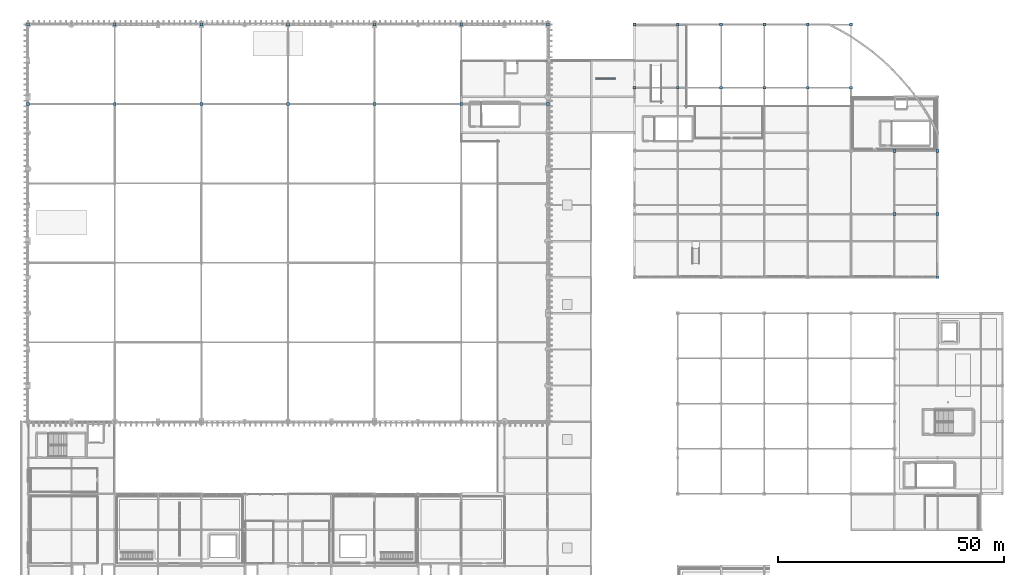
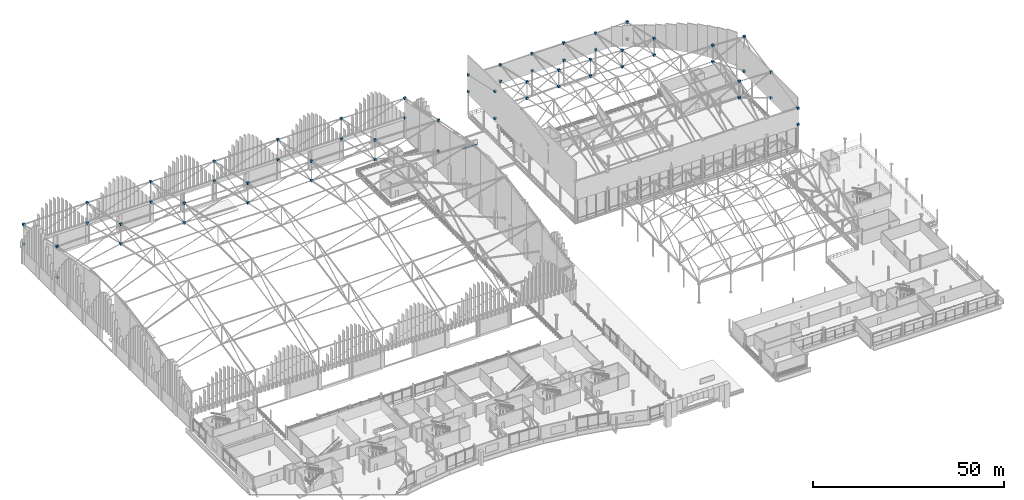
# One storey, part 163 of 193: 63 discrete accessories.
"""IFC4 building model written with IfcOpenShell, lengths in metres."""

from ifc_helpers import new_model, si_unit, direction, frame, origin, origin_2d, place, context, subcontext, project, spatial, rectangle, extrude, material, type_object, element, save


model = new_model("IFC4")

# Units and contexts
model_context = context("Model", 3, precision=1e-05, world=origin(), true_north=direction((0.0, 1.0)))
body_context = subcontext(model_context, "Body", "Model", "MODEL_VIEW")
ifc_project = project(units=[si_unit("LENGTHUNIT", "METRE"), si_unit("AREAUNIT", "SQUARE_METRE"), si_unit("VOLUMEUNIT", "CUBIC_METRE"), si_unit("PLANEANGLEUNIT", "RADIAN"), si_unit("MASSUNIT", "GRAM", prefix="KILO")], contexts=[model_context])

# Site, building, storey
site_placement = place(None, origin())
site = spatial("IfcSite", under=ifc_project, at=site_placement, CompositionType="ELEMENT")
building_placement = place(site_placement, origin())
building = spatial("IfcBuilding", under=site, at=building_placement, Name="Danafjord Basin Convention Centre", CompositionType="ELEMENT")
storey_placement = place(building_placement, frame((0.0, 0.0, 11.39990234375)))
storey = spatial("IfcBuildingStorey", under=building, at=storey_placement, Name="L02", CompositionType="ELEMENT", Elevation=11.39990234375)

# Discrete accessories
ifc_material_1 = material(Name="Stainless steel EN 1.4404", Category="steel")
discrete_accessory_type_1 = type_object("IfcDiscreteAccessoryType", Name="ACC-FIN-BRK", PredefinedType="BRACKET", material=ifc_material_1)
discrete_accessory_placement = place(storey_placement, frame((128.0, 132.0, -0.48974609375), z_axis=(0.0, 0.0, 1.0), x_axis=(1.0, 0.0, 0.0)))
element("IfcDiscreteAccessory", 1, at=discrete_accessory_placement, inside=storey, type_object=discrete_accessory_type_1, Name="Louvre base curb shoe", PredefinedType="BRACKET", context=body_context, shape_type="SweptSolid", body=[
    extrude(rectangle(XDim=4.199951171875, YDim=0.300048828125, at=origin_2d()), origin(), (0.0, 0.0, 1.0), 0.179931640625),
])
ifc_material_2 = material(Name="Steel S355", Category="steel")
discrete_accessory_type_2 = type_object("IfcDiscreteAccessoryType", Name="ACC-SF-HUB", PredefinedType="BRACKET", material=ifc_material_2)
for number, where, z_axis, x_axis, name in (
    (2, (0.0, 126.39990234375, 15.5908203125), (0.0, 0.0, 1.0), (1.0, 0.0, 0.0), "V1 space-frame upper node hub"),
    (3, (0.0, 126.39990234375, 5.72998046875), (0.0, 0.0, 1.0), (1.0, 0.0, 0.0), "V1 space-frame lower node hub"),
    (4, (0.0, 144.0, 11.93017578125), (0.0, 0.0, 1.0), (1.0, 0.0, 0.0), "V1 space-frame upper node hub"),
    (5, (0.0, 144.0, 5.72998046875), (0.0, 0.0, 1.0), (1.0, 0.0, 0.0), "V1 space-frame lower node hub"),
    (6, (19.199951171875, 126.39990234375, 15.951171875), (0.0, 0.0, 1.0), (1.0, 0.0, 0.0), "V1 space-frame upper node hub"),
    (7, (19.199951171875, 126.39990234375, 9.7509765625), (0.0, 0.0, 1.0), (1.0, 0.0, 0.0), "V1 space-frame lower node hub"),
    (8, (19.199951171875, 144.0, 12.1552734375), (0.0, 0.0, 1.0), (1.0, 0.0, 0.0), "V1 space-frame upper node hub"),
    (9, (19.199951171875, 144.0, 5.72998046875), (0.0, 0.0, 1.0), (1.0, 0.0, 0.0), "V1 space-frame lower node hub"),
    (10, (38.39990234375, 126.39990234375, 15.951171875), (0.0, 0.0, 1.0), (1.0, 0.0, 0.0), "V1 space-frame upper node hub"),
    (11, (38.39990234375, 126.39990234375, 9.7509765625), (0.0, 0.0, 1.0), (1.0, 0.0, 0.0), "V1 space-frame lower node hub"),
    (12, (38.39990234375, 144.0, 12.1552734375), (0.0, 0.0, 1.0), (1.0, 0.0, 0.0), "V1 space-frame upper node hub"),
    (13, (38.39990234375, 144.0, 5.72998046875), (0.0, 0.0, 1.0), (1.0, 0.0, 0.0), "V1 space-frame lower node hub"),
    (14, (57.60009765625, 126.39990234375, 15.5908203125), (0.0, 0.0, 1.0), (1.0, 0.0, 0.0), "V1 space-frame upper node hub"),
    (15, (57.60009765625, 126.39990234375, 9.39111328125), (0.0, 0.0, 1.0), (1.0, 0.0, 0.0), "V1 space-frame lower node hub"),
    (16, (57.60009765625, 144.0, 11.93017578125), (0.0, 0.0, 1.0), (1.0, 0.0, 0.0), "V1 space-frame upper node hub"),
    (17, (57.60009765625, 144.0, 5.72998046875), (0.0, 0.0, 1.0), (1.0, 0.0, 0.0), "V1 space-frame lower node hub"),
    (18, (76.800048828125, 126.39990234375, 15.951171875), (0.0, 0.0, 1.0), (1.0, 0.0, 0.0), "V1 space-frame upper node hub"),
    (19, (76.800048828125, 126.39990234375, 9.7509765625), (0.0, 0.0, 1.0), (1.0, 0.0, 0.0), "V1 space-frame lower node hub"),
    (20, (76.800048828125, 144.0, 12.1552734375), (0.0, 0.0, 1.0), (1.0, 0.0, 0.0), "V1 space-frame upper node hub"),
    (21, (76.800048828125, 144.0, 5.72998046875), (0.0, 0.0, 1.0), (1.0, 0.0, 0.0), "V1 space-frame lower node hub"),
    (22, (96.0, 126.39990234375, 15.951171875), (0.0, 0.0, 1.0), (1.0, 0.0, 0.0), "V1 space-frame upper node hub"),
    (23, (96.0, 126.39990234375, 9.7509765625), (0.0, 0.0, 1.0), (1.0, 0.0, 0.0), "V1 space-frame lower node hub"),
    (24, (96.0, 144.0, 12.1552734375), (0.0, 0.0, 1.0), (1.0, 0.0, 0.0), "V1 space-frame upper node hub"),
    (25, (96.0, 144.0, 5.72998046875), (0.0, 0.0, 1.0), (1.0, 0.0, 0.0), "V1 space-frame lower node hub"),
    (26, (115.199951171875, 126.39990234375, 15.5908203125), (0.0, 0.0, 1.0), (1.0, 0.0, 0.0), "V1 space-frame upper node hub"),
    (27, (115.199951171875, 126.39990234375, 5.72998046875), (0.0, 0.0, 1.0), (1.0, 0.0, 0.0), "V1 space-frame lower node hub"),
    (28, (115.199951171875, 144.0, 11.93017578125), (0.0, 0.0, 1.0), (1.0, 0.0, 0.0), "V1 space-frame upper node hub"),
    (29, (115.199951171875, 144.0, 5.72998046875), (0.0, 0.0, 1.0), (1.0, 0.0, 0.0), "V1 space-frame lower node hub"),
    (30, (134.39990234375, 130.0, 15.93994140625), (0.0, 0.0, 1.0), (1.0, 0.0, 0.0), "V2 space-frame upper node hub"),
    (31, (134.39990234375, 130.0, 7.330078125), (0.0, 0.0, 1.0), (1.0, 0.0, 0.0), "V2 space-frame lower node hub"),
    (32, (134.39990234375, 144.0, 12.75537109375), (0.0, 0.0, 1.0), (1.0, 0.0, 0.0), "V2 space-frame upper node hub"),
    (33, (134.39990234375, 144.0, 7.330078125), (0.0, 0.0, 1.0), (1.0, 0.0, 0.0), "V2 space-frame lower node hub"),
    (34, (144.0, 130.0, 15.54638671875), (0.0, 0.0, 1.0), (1.0, 0.0, 0.0), "V2 space-frame upper node hub"),
    (35, (144.0, 130.0, 10.34619140625), (0.0, 0.0, 1.0), (1.0, 0.0, 0.0), "V2 space-frame lower node hub"),
    (36, (144.0, 144.0, 12.5302734375), (0.0, 0.0, 1.0), (1.0, 0.0, 0.0), "V2 space-frame upper node hub"),
    (37, (144.0, 144.0, 7.330078125), (0.0, 0.0, 1.0), (1.0, 0.0, 0.0), "V2 space-frame lower node hub"),
    (38, (153.60009765625, 130.0, 15.93994140625), (0.0, 0.0, 1.0), (1.0, 0.0, 0.0), "V2 space-frame upper node hub"),
    (39, (153.60009765625, 130.0, 10.73974609375), (0.0, 0.0, 1.0), (1.0, 0.0, 0.0), "V2 space-frame lower node hub"),
    (40, (153.60009765625, 144.0, 12.75537109375), (0.0, 0.0, 1.0), (1.0, 0.0, 0.0), "V2 space-frame upper node hub"),
    (41, (153.60009765625, 144.0, 7.330078125), (0.0, 0.0, 1.0), (1.0, 0.0, 0.0), "V2 space-frame lower node hub"),
    (42, (163.199951171875, 130.0, 15.93994140625), (0.0, 0.0, 1.0), (1.0, 0.0, 0.0), "V2 space-frame upper node hub"),
    (43, (163.199951171875, 130.0, 10.73974609375), (0.0, 0.0, 1.0), (1.0, 0.0, 0.0), "V2 space-frame lower node hub"),
    (44, (163.199951171875, 144.0, 12.75537109375), (0.0, 0.0, 1.0), (1.0, 0.0, 0.0), "V2 space-frame upper node hub"),
    (45, (163.199951171875, 144.0, 7.330078125), (0.0, 0.0, 1.0), (1.0, 0.0, 0.0), "V2 space-frame lower node hub"),
    (46, (172.800048828125, 130.0, 15.54638671875), (0.0, 0.0, 1.0), (1.0, 0.0, 0.0), "V2 space-frame upper node hub"),
    (47, (172.800048828125, 130.0, 10.34619140625), (0.0, 0.0, 1.0), (1.0, 0.0, 0.0), "V2 space-frame lower node hub"),
    (48, (172.800048828125, 144.0, 12.5302734375), (0.0, 0.0, 1.0), (1.0, 0.0, 0.0), "V2 space-frame upper node hub"),
    (49, (172.800048828125, 144.0, 7.330078125), (0.0, 0.0, 1.0), (1.0, 0.0, 0.0), "V2 space-frame lower node hub"),
    (50, (182.39990234375, 130.0, 15.93994140625), (0.0, 0.0, 1.0), (1.0, 0.0, 0.0), "V2 space-frame upper node hub"),
    (51, (182.39990234375, 130.0, 10.73974609375), (0.0, 0.0, 1.0), (1.0, 0.0, 0.0), "V2 space-frame lower node hub"),
    (52, (182.39990234375, 144.0, 12.75537109375), (0.0, 0.0, 1.0), (1.0, 0.0, 0.0), "V2 space-frame upper node hub"),
    (53, (182.39990234375, 144.0, 7.330078125), (0.0, 0.0, 1.0), (1.0, 0.0, 0.0), "V2 space-frame lower node hub"),
    (54, (192.0, 102.0, 15.93994140625), (0.0, 0.0, 1.0), (1.0, 0.0, 0.0), "V2 space-frame upper node hub"),
    (55, (192.0, 102.0, 10.73974609375), (0.0, 0.0, 1.0), (1.0, 0.0, 0.0), "V2 space-frame lower node hub"),
    (56, (192.0, 116.0, 18.892578125), (0.0, 0.0, 1.0), (1.0, 0.0, 0.0), "V2 space-frame upper node hub"),
    (57, (192.0, 116.0, 13.69287109375), (0.0, 0.0, 1.0), (1.0, 0.0, 0.0), "V2 space-frame lower node hub"),
    (58, (201.60009765625, 88.0, 12.5302734375), (0.0, 0.0, 1.0), (1.0, 0.0, 0.0), "V2 space-frame upper node hub"),
    (59, (201.60009765625, 88.0, 7.330078125), (0.0, 0.0, 1.0), (1.0, 0.0, 0.0), "V2 space-frame lower node hub"),
    (60, (201.60009765625, 102.0, 15.54638671875), (0.0, 0.0, 1.0), (1.0, 0.0, 0.0), "V2 space-frame upper node hub"),
    (61, (201.60009765625, 102.0, 7.330078125), (0.0, 0.0, 1.0), (1.0, 0.0, 0.0), "V2 space-frame lower node hub"),
    (62, (201.60009765625, 116.0, 18.330078125), (0.0, 0.0, 1.0), (1.0, 0.0, 0.0), "V2 space-frame upper node hub"),
    (63, (201.60009765625, 116.0, 7.330078125), (0.0, 0.0, 1.0), (1.0, 0.0, 0.0), "V2 space-frame lower node hub"),
):
    element("IfcDiscreteAccessory", number, at=place(storey_placement, frame(where, z_axis=z_axis, x_axis=x_axis)), inside=storey, type_object=discrete_accessory_type_2, Name=name, PredefinedType="BRACKET", context=body_context, shape_type="SweptSolid", body=[
        extrude(rectangle(XDim=0.639892578125, YDim=0.639892578125, at=origin_2d()), origin(), (0.0, 0.0, 1.0), 0.639892578125),
    ])

save(model, "model.ifc")
